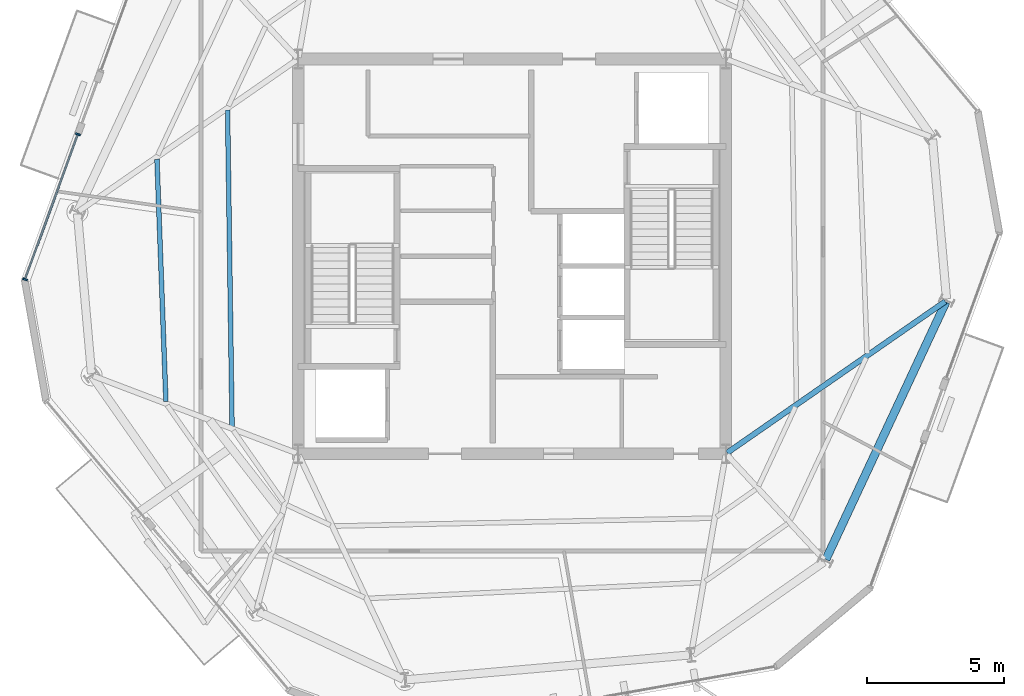
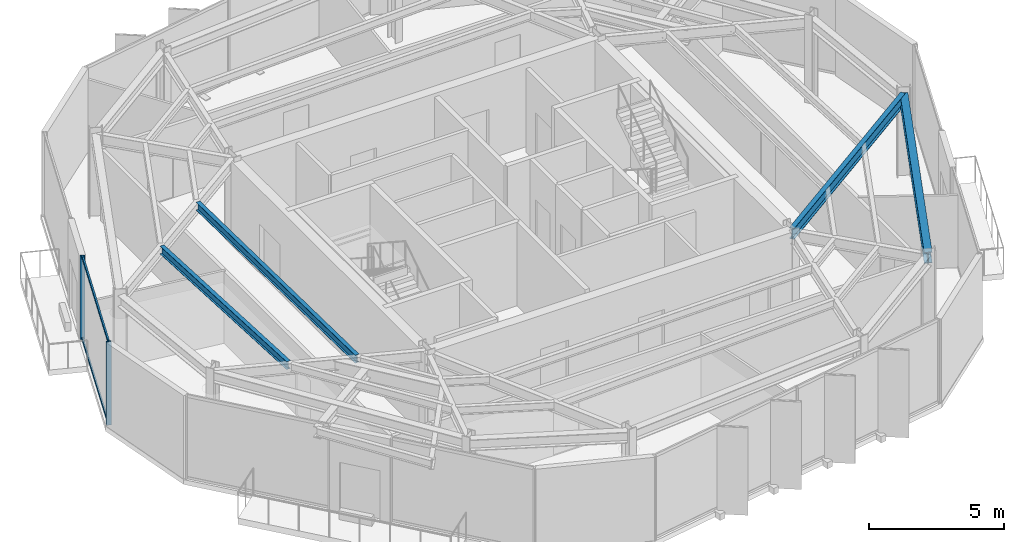
# One storey, part 3 of 11: 4 beams, 4 members, 1 element without a shape of its own.
"""IFC4 building model written with IfcOpenShell, lengths in metres."""

from ifc_helpers import new_model, si_unit, direction, frame, origin, origin_2d, place, context, subcontext, project, spatial, rectangle, i_section, extrude, material, layer, layer_set, material_profile, profile_set, type_object, element, aggregate, save


model = new_model("IFC4")

# Units and contexts
model_context = context("Model", 3, precision=1e-05, world=origin(), true_north=direction((0.0, 1.0)))
body_context = subcontext(model_context, "Body", "Model", "MODEL_VIEW")
ifc_project = project(units=[si_unit("LENGTHUNIT", "METRE"), si_unit("AREAUNIT", "SQUARE_METRE"), si_unit("VOLUMEUNIT", "CUBIC_METRE"), si_unit("PLANEANGLEUNIT", "RADIAN"), si_unit("MASSUNIT", "GRAM", prefix="KILO")], contexts=[model_context])

# Site, building, storey
site_placement = place(None, origin())
site = spatial("IfcSite", under=ifc_project, at=site_placement, CompositionType="ELEMENT")
building_placement = place(site_placement, origin())
building = spatial("IfcBuilding", under=site, at=building_placement, Name="Kranzbogen Civic Tower", CompositionType="ELEMENT")
storey_placement = place(building_placement, frame((0.0, 0.0, 306.199951171875)))
storey = spatial("IfcBuildingStorey", under=building, at=storey_placement, Name="L74", CompositionType="ELEMENT", Elevation=306.199951171875)

# Curtain wall, members
ifc_material_1 = material(Name="Pale Anodised Aluminium", Category="aluminium")
ifc_layer = layer(ifc_material_1, 0.219970703125, Name="Pale Anodised Aluminium")
ifc_layer_set = layer_set([ifc_layer], Name="Pale Anodised Aluminium")
curtain_wall_type = type_object("IfcCurtainWallType", Name="Zone 4 Stick Curtain Wall System CW-05", PredefinedType="USERDEFINED", material=ifc_layer_set)
curtain_wall_placement = place(storey_placement, origin())
curtain_wall = element("IfcCurtainWall", 1, at=curtain_wall_placement, inside=storey, type_object=curtain_wall_type, Name="L74 curtain wall CW-L74-F2-S2", ObjectType="STICK CURTAIN WALL", PredefinedType="USERDEFINED")
ifc_material_profile_1 = material_profile(ifc_material_1, rectangle(XDim=0.06494140625, YDim=0.179931640625, at=origin_2d()), Name="ALU-M 65x180")
ifc_profile_set_1 = profile_set([ifc_material_profile_1], Name="Pale Anodised Aluminium")
member_type_1 = type_object("IfcMemberType", Name="Curtain Wall Mullion ALU-M 65x180", PredefinedType="MULLION", material=ifc_profile_set_1)
member_1_placement = place(storey_placement, frame((9.164794921875, 29.454833984375, 0.0), z_axis=(0.0, 0.0, 1.0), x_axis=(-0.342137892225, -0.939649755337, 0.0)))
member_1 = element("IfcMember", 2, at=member_1_placement, type_object=member_type_1, Name="CW-05 mullion 1", PredefinedType="MULLION", context=body_context, shape_type="SweptSolid", body=[
    extrude(rectangle(XDim=0.06494140625, YDim=0.179931640625, at=origin_2d()), origin(), (0.0, 0.0, 1.0), 3.780029296875),
])
member_2_placement = place(storey_placement, frame((7.2373046875, 24.1611328125, 0.0), z_axis=(0.0, 0.0, 1.0), x_axis=(-0.342137892225, -0.939649755337, 0.0)))
member_2 = element("IfcMember", 3, at=member_2_placement, type_object=member_type_1, Name="CW-05 mullion 2", PredefinedType="MULLION", context=body_context, shape_type="SweptSolid", body=[
    extrude(rectangle(XDim=0.06494140625, YDim=0.179931640625, at=origin_2d()), origin(), (0.0, 0.0, 1.0), 3.780029296875),
])
ifc_material_profile_2 = material_profile(ifc_material_1, rectangle(XDim=0.06494140625, YDim=0.135009765625, at=origin_2d()), Name="ALU-T 65x135")
ifc_profile_set_2 = profile_set([ifc_material_profile_2], Name="Pale Anodised Aluminium")
member_type_2 = type_object("IfcMemberType", Name="Curtain Wall Transom ALU-T 65x135", PredefinedType="USERDEFINED", material=ifc_profile_set_2)
member_3_placement = place(storey_placement, frame((9.154541015625, 29.426513671875, 0.030029296875), z_axis=(-0.342154533928, -0.939643695723, 0.0), x_axis=(0.939643695723, -0.342154533928, 0.0)))
member_3 = element("IfcMember", 4, at=member_3_placement, type_object=member_type_2, Name="CW-05 transom 1.1", ObjectType="TRANSOM", PredefinedType="USERDEFINED", context=body_context, shape_type="SweptSolid", body=[
    extrude(rectangle(XDim=0.06494140625, YDim=0.135009765625, at=origin_2d()), origin(), (0.0, 0.0, 1.0), 5.573486328125),
])
member_4_placement = place(storey_placement, frame((9.154541015625, 29.426513671875, 3.75), z_axis=(-0.342154533928, -0.939643695723, 0.0), x_axis=(0.939643695723, -0.342154533928, 0.0)))
member_4 = element("IfcMember", 5, at=member_4_placement, type_object=member_type_2, Name="CW-05 transom 1.2", ObjectType="TRANSOM", PredefinedType="USERDEFINED", context=body_context, shape_type="SweptSolid", body=[
    extrude(rectangle(XDim=0.06494140625, YDim=0.135009765625, at=origin_2d()), origin(), (0.0, 0.0, 1.0), 5.573486328125),
])
aggregate(curtain_wall, [member_1, member_2, member_3, member_4])

# Beams
ifc_material_2 = material(Name="Steel S355", Category="steel")
ifc_material_profile_3 = material_profile(ifc_material_2, i_section(OverallWidth=0.300048828125, OverallDepth=0.5, WebThickness=0.014404296875, FlangeThickness=0.028076171875, at=origin_2d()), Name="HEB 500")
ifc_profile_set_3 = profile_set([ifc_material_profile_3], Name="Steel S355")
beam_type_1 = type_object("IfcBeamType", Name="Perimeter Tube Spandrel Beam HEB 500", PredefinedType="SPANDREL", material=ifc_profile_set_3)
beam_1_placement = place(storey_placement, frame((36.449951171875, 13.944091796875, 3.530029296875), z_axis=(0.422668780888, 0.906284227857, 0.0), x_axis=(-0.906284227857, 0.422668780888, 0.0)))
element("IfcBeam", 6, at=beam_1_placement, inside=storey, type_object=beam_type_1, Name="L74 perimeter spandrel beam 05", PredefinedType="SPANDREL", context=body_context, shape_type="SweptSolid", body=[
    extrude(i_section(OverallWidth=0.300048828125, OverallDepth=0.5, WebThickness=0.014404296875, FlangeThickness=0.028076171875, at=origin_2d()), origin(), (0.0, 0.0, 1.0), 10.363037109375),
])
ifc_material_profile_4 = material_profile(ifc_material_2, i_section(OverallWidth=0.199951171875, OverallDepth=0.5, WebThickness=0.01025390625, FlangeThickness=0.01611328125, at=origin_2d()), Name="IPE 500")
ifc_profile_set_4 = profile_set([ifc_material_profile_4], Name="Steel S355")
beam_type_2 = type_object("IfcBeamType", Name="Radial Tower Floor Girder IPE 500", PredefinedType="BEAM", material=ifc_profile_set_4)
beam_2_placement = place(storey_placement, frame((40.805908203125, 23.35595703125, 3.530029296875), z_axis=(-0.821542812331, -0.570146829779, 0.0), x_axis=(0.570146829779, -0.821542812331, 0.0)))
element("IfcBeam", 7, at=beam_2_placement, inside=storey, type_object=beam_type_2, Name="L74 radial floor girder 06", PredefinedType="BEAM", context=body_context, shape_type="SweptSolid", body=[
    extrude(i_section(OverallWidth=0.199951171875, OverallDepth=0.5, WebThickness=0.01025390625, FlangeThickness=0.01611328125, at=origin_2d()), origin(), (0.0, 0.0, 1.0), 9.68505859375),
])
ifc_material_profile_5 = material_profile(ifc_material_2, i_section(OverallWidth=0.169921875, OverallDepth=0.360107421875, WebThickness=0.008056640625, FlangeThickness=0.0126953125, at=origin_2d()), Name="IPE 360")
ifc_profile_set_5 = profile_set([ifc_material_profile_5], Name="Steel S355")
beam_type_3 = type_object("IfcBeamType", Name="Secondary Composite Floor Joist IPE 360", PredefinedType="JOIST", material=ifc_profile_set_5)
beam_3_placement = place(storey_placement, frame((12.048095703125, 28.5419921875, 3.60009765625), z_axis=(0.036992246074, -0.999315552631, 0.0), x_axis=(0.999315552631, 0.036992246074, 0.0)))
element("IfcBeam", 8, at=beam_3_placement, inside=storey, type_object=beam_type_3, Name="L74 secondary floor joist 1.12", PredefinedType="JOIST", context=body_context, shape_type="SweptSolid", body=[
    extrude(i_section(OverallWidth=0.169921875, OverallDepth=0.360107421875, WebThickness=0.008056640625, FlangeThickness=0.0126953125, at=origin_2d()), origin(), (0.0, 0.0, 1.0), 8.837158203125),
])
beam_4_placement = place(storey_placement, frame((14.6240234375, 30.3310546875, 3.60009765625), z_axis=(0.014221385906, -0.999898870978, 0.0), x_axis=(0.999898870978, 0.014221385906, 0.0)))
element("IfcBeam", 9, at=beam_4_placement, inside=storey, type_object=beam_type_3, Name="L74 secondary floor joist 2.12", PredefinedType="JOIST", context=body_context, shape_type="SweptSolid", body=[
    extrude(i_section(OverallWidth=0.169921875, OverallDepth=0.360107421875, WebThickness=0.008056640625, FlangeThickness=0.0126953125, at=origin_2d()), origin(), (0.0, 0.0, 1.0), 11.536376953125),
])

save(model, "model.ifc")
